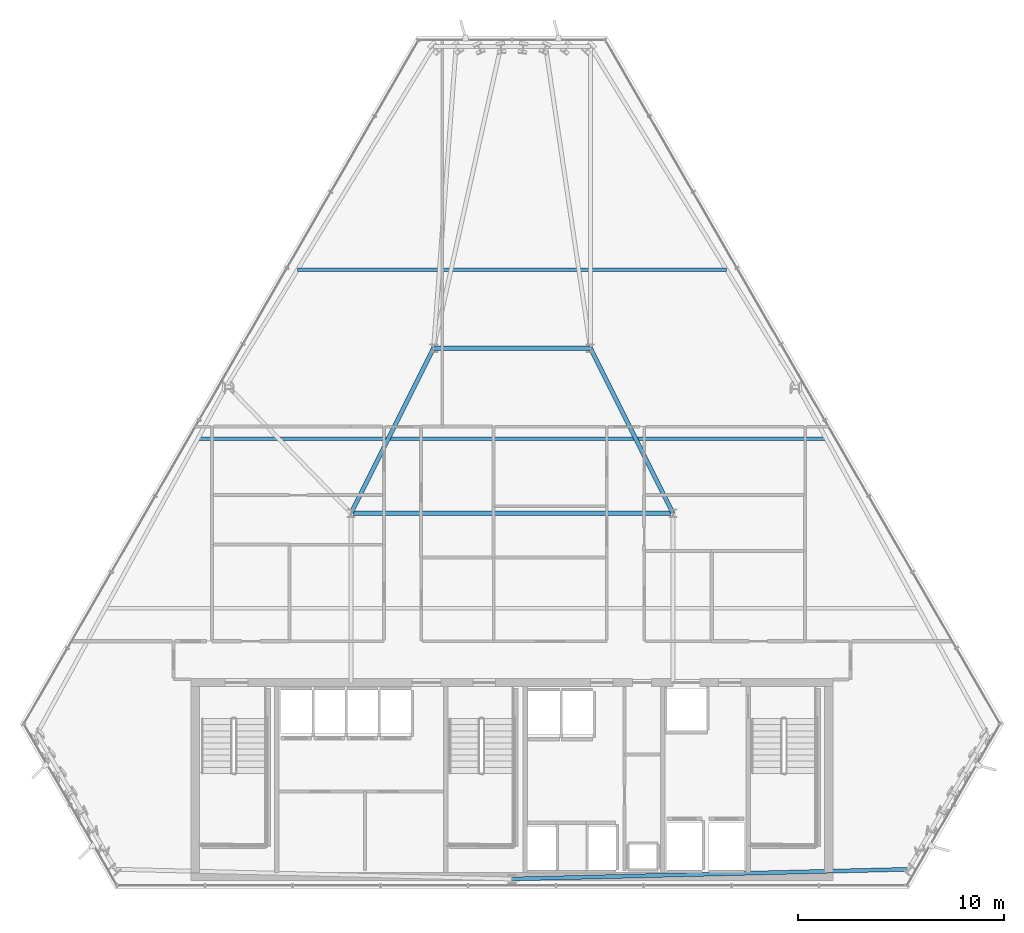
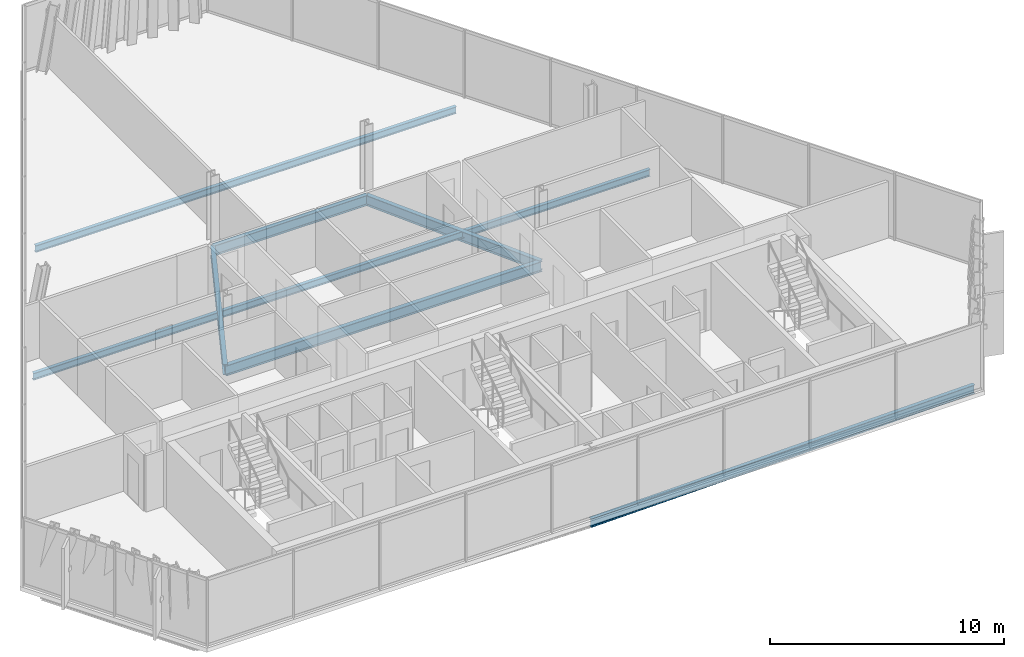
# One storey, part 13 of 34: 7 beams.
"""IFC4 building model written with IfcOpenShell, lengths in metres."""

from ifc_helpers import new_model, si_unit, direction, frame, origin, origin_2d, place, context, subcontext, project, spatial, i_section, extrude, material, material_profile, profile_set, type_object, element, save


model = new_model("IFC4")

# Units and contexts
model_context = context("Model", 3, precision=1e-05, world=origin(), true_north=direction((0.0, 1.0)))
body_context = subcontext(model_context, "Body", "Model", "MODEL_VIEW")
ifc_project = project(units=[si_unit("LENGTHUNIT", "METRE"), si_unit("AREAUNIT", "SQUARE_METRE"), si_unit("VOLUMEUNIT", "CUBIC_METRE"), si_unit("PLANEANGLEUNIT", "RADIAN"), si_unit("MASSUNIT", "GRAM", prefix="KILO")], contexts=[model_context])

# Site, building, storey
site_placement = place(None, origin())
site = spatial("IfcSite", under=ifc_project, at=site_placement, CompositionType="ELEMENT")
building_placement = place(site_placement, origin())
building = spatial("IfcBuilding", under=site, at=building_placement, Name="Ndaravel Arena Tower", CompositionType="ELEMENT")
storey_placement = place(building_placement, frame((0.0, 0.0, 199.199951171875)))
storey = spatial("IfcBuildingStorey", under=building, at=storey_placement, Name="L48", CompositionType="ELEMENT", Elevation=199.199951171875)

# Beams
ifc_material_1 = material(Name="Steel S355", Category="steel")
ifc_material_profile_1 = material_profile(ifc_material_1, i_section(OverallWidth=0.210693359375, OverallDepth=0.53955078125, WebThickness=0.01171875, FlangeThickness=0.018798828125, FilletRadius=0.0126953125, at=origin_2d()), Name="UB 533x210x109")
ifc_profile_set_1 = profile_set([ifc_material_profile_1], Name="Steel S355")
beam_type_1 = type_object("IfcBeamType", Name="BM-GIRD-UB533", PredefinedType="BEAM", material=ifc_profile_set_1)
beam_1_placement = place(storey_placement, frame((34.199951171875, 23.199951171875, -0.48974609375), z_axis=(1.0, 0.0, 0.0), x_axis=(0.0, 1.0, 0.0)))
element("IfcBeam", 1, at=beam_1_placement, inside=storey, type_object=beam_type_1, Name="L48 Spine Link Girder SLG-03", PredefinedType="BEAM", context=body_context, shape_type="SweptSolid", body=[
    extrude(i_section(OverallWidth=0.210693359375, OverallDepth=0.53955078125, WebThickness=0.01171875, FlangeThickness=0.018798828125, FilletRadius=0.0126953125, at=origin_2d()), origin(), (0.0, 0.0, 1.0), 15.60009765625),
])
for number, where, z_axis, x_axis, name in (
    (2, (34.199951171875, 23.199951171875, -0.48974609375), (0.4472135955, 0.894427191, 0.0), (-0.894427191, 0.4472135955, 0.0), "L48 Spine Link Girder SLG-04"),
    (3, (49.800048828125, 23.199951171875, -0.48974609375), (-0.4472135955, 0.894427191, 0.0), (-0.894427191, -0.4472135955, 0.0), "L48 Spine Link Girder SLG-05"),
):
    element("IfcBeam", number, at=place(storey_placement, frame(where, z_axis=z_axis, x_axis=x_axis)), inside=storey, type_object=beam_type_1, Name=name, PredefinedType="BEAM", context=body_context, shape_type="SweptSolid", body=[
        extrude(i_section(OverallWidth=0.210693359375, OverallDepth=0.53955078125, WebThickness=0.01171875, FlangeThickness=0.018798828125, FilletRadius=0.0126953125, at=origin_2d()), origin(), (0.0, 0.0, 1.0), 8.9443359375),
    ])
beam_2_placement = place(storey_placement, frame((38.199951171875, 31.199951171875, -0.48974609375), z_axis=(1.0, 0.0, 0.0), x_axis=(0.0, 1.0, 0.0)))
element("IfcBeam", 4, at=beam_2_placement, inside=storey, type_object=beam_type_1, Name="L48 Spine Link Girder SLG-06", PredefinedType="BEAM", context=body_context, shape_type="SweptSolid", body=[
    extrude(i_section(OverallWidth=0.210693359375, OverallDepth=0.53955078125, WebThickness=0.01171875, FlangeThickness=0.018798828125, FilletRadius=0.0126953125, at=origin_2d()), origin(), (0.0, 0.0, 1.0), 7.60009765625),
])
ifc_material_2 = material(Name="Steel S355", Category="steel")
ifc_material_profile_2 = material_profile(ifc_material_2, i_section(OverallWidth=0.172119140625, OverallDepth=0.35791015625, WebThickness=0.008056640625, FlangeThickness=0.012939453125, FilletRadius=0.01025390625, at=origin_2d()), Name="UB 356x171x57")
ifc_profile_set_2 = profile_set([ifc_material_profile_2], Name="Steel S355")
beam_type_2 = type_object("IfcBeamType", Name="BM-JOIST-UB356", PredefinedType="JOIST", material=ifc_profile_set_2)
beam_3_placement = place(storey_placement, frame((26.772216796875, 26.800048828125, -0.39892578125), z_axis=(1.0, 0.0, 0.0), x_axis=(0.0, 1.0, 0.0)))
element("IfcBeam", 5, at=beam_3_placement, inside=storey, type_object=beam_type_2, Name="L48 Composite Floor Joist FJ-02", PredefinedType="JOIST", context=body_context, shape_type="SweptSolid", body=[
    extrude(i_section(OverallWidth=0.172119140625, OverallDepth=0.35791015625, WebThickness=0.008056640625, FlangeThickness=0.012939453125, FilletRadius=0.01025390625, at=origin_2d()), origin(), (0.0, 0.0, 1.0), 30.45556640625),
])
beam_4_placement = place(storey_placement, frame((31.60791015625, 35.0, -0.39892578125), z_axis=(1.0, 0.0, 0.0), x_axis=(0.0, 1.0, 0.0)))
element("IfcBeam", 6, at=beam_4_placement, inside=storey, type_object=beam_type_2, Name="L48 Composite Floor Joist FJ-03", PredefinedType="JOIST", context=body_context, shape_type="SweptSolid", body=[
    extrude(i_section(OverallWidth=0.172119140625, OverallDepth=0.35791015625, WebThickness=0.008056640625, FlangeThickness=0.012939453125, FilletRadius=0.01025390625, at=origin_2d()), origin(), (0.0, 0.0, 1.0), 20.7841796875),
])
ifc_material_3 = material(Name="Steel S355", Category="steel")
ifc_material_profile_3 = material_profile(ifc_material_3, i_section(OverallWidth=0.18994140625, OverallDepth=0.449951171875, WebThickness=0.009521484375, FlangeThickness=0.0146484375, FilletRadius=0.02099609375, at=origin_2d()), Name="IPE 450")
ifc_profile_set_3 = profile_set([ifc_material_profile_3], Name="Steel S355")
beam_type_3 = type_object("IfcBeamType", Name="BM-SPAN-IPE450", PredefinedType="SPANDREL", material=ifc_profile_set_3)
beam_5_placement = place(storey_placement, frame((42.0, 5.47998046875, -0.445068359375), z_axis=(0.999701337361, 0.02443841399, 0.0), x_axis=(-0.02443841399, 0.999701337361, 0.0)))
element("IfcBeam", 7, at=beam_5_placement, inside=storey, type_object=beam_type_3, Name="L48 Perimeter Spandrel Beam SP-01", PredefinedType="SPANDREL", context=body_context, shape_type="SweptSolid", body=[
    extrude(i_section(OverallWidth=0.18994140625, OverallDepth=0.449951171875, WebThickness=0.009521484375, FlangeThickness=0.0146484375, FilletRadius=0.02099609375, at=origin_2d()), origin(), (0.0, 0.0, 1.0), 19.220947265625),
])

save(model, "model.ifc")
